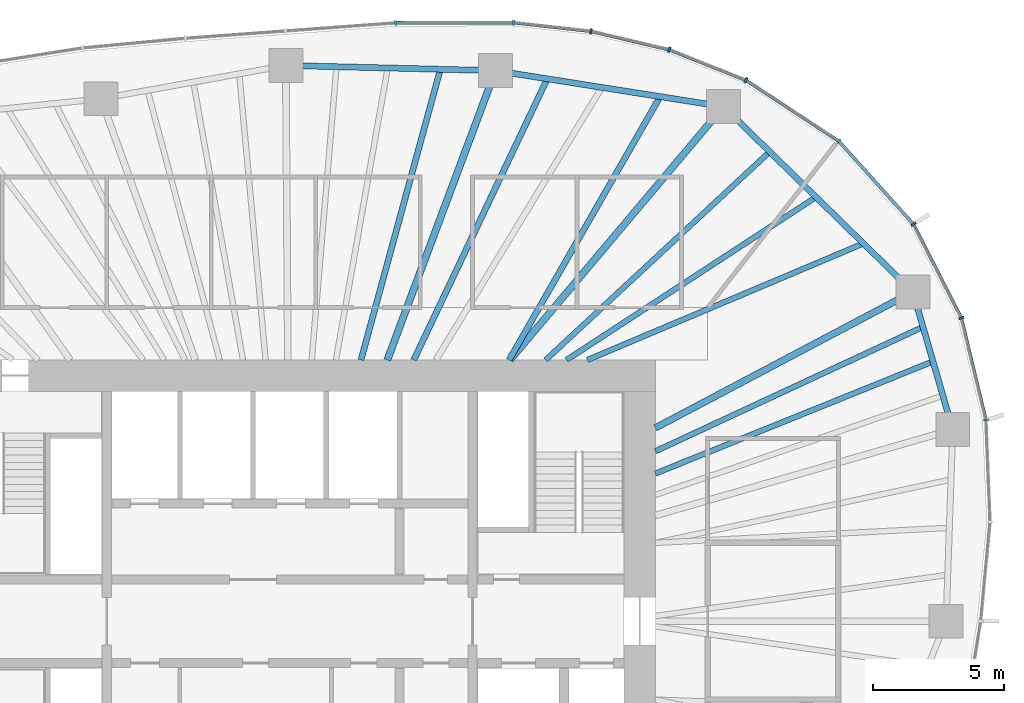
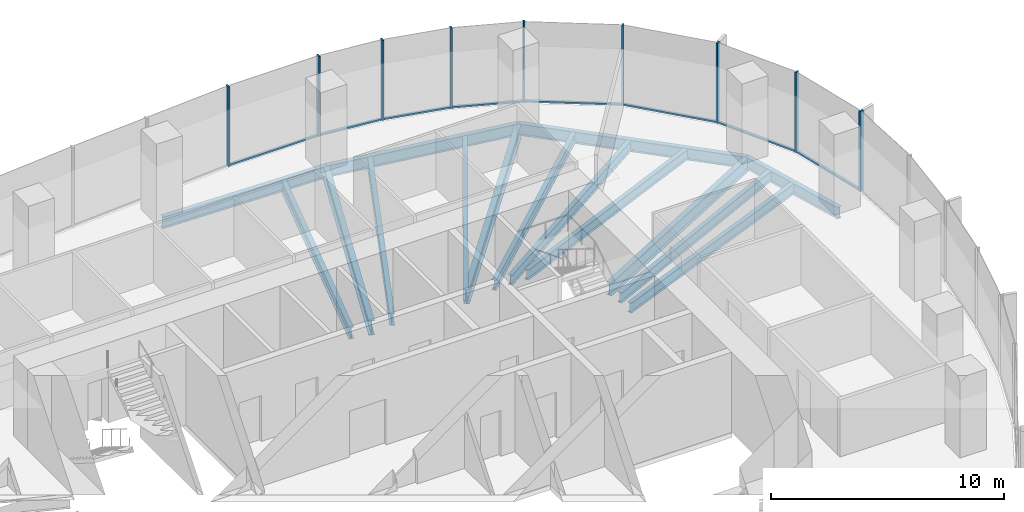
# One storey, part 6 of 12: 17 members, 15 beams, 4 elements without a shape of their own.
"""IFC4 building model written with IfcOpenShell, lengths in metres."""

from ifc_helpers import new_model, si_unit, direction, frame, origin, origin_2d, place, context, subcontext, project, spatial, rectangle, i_section, extrude, material, material_profile, profile_set, type_object, element, aggregate, save


model = new_model("IFC4")

# Units and contexts
model_context = context("Model", 3, precision=1e-05, world=origin(), true_north=direction((0.0, 1.0)))
body_context = subcontext(model_context, "Body", "Model", "MODEL_VIEW")
ifc_project = project(units=[si_unit("LENGTHUNIT", "METRE"), si_unit("AREAUNIT", "SQUARE_METRE"), si_unit("VOLUMEUNIT", "CUBIC_METRE"), si_unit("PLANEANGLEUNIT", "RADIAN"), si_unit("MASSUNIT", "GRAM", prefix="KILO")], contexts=[model_context])

# Site, building, storey
site_placement = place(None, origin())
site = spatial("IfcSite", under=ifc_project, at=site_placement, CompositionType="ELEMENT")
building_placement = place(site_placement, origin())
building = spatial("IfcBuilding", under=site, at=building_placement, Name="Ghaith Harvest Tower", CompositionType="ELEMENT")
storey_placement = place(building_placement, frame((0.0, 0.0, 203.199951171875)))
storey = spatial("IfcBuildingStorey", under=building, at=storey_placement, Name="L44", CompositionType="ELEMENT", Elevation=203.199951171875)

# Curtain wall, members
ifc_material_1 = material(Name="Black anodised aluminium and fritted glass", Category="aluminium")
curtain_wall_type = type_object("IfcCurtainWallType", Name="CW-H CURTAIN WALL", PredefinedType="NOTDEFINED", material=ifc_material_1)
curtain_wall_1_placement = place(storey_placement, origin())
curtain_wall_1 = element("IfcCurtainWall", 1, at=curtain_wall_1_placement, inside=storey, type_object=curtain_wall_type, Name="Curtain wall CW-H bay 02 L44", PredefinedType="NOTDEFINED")
ifc_material_2 = material(Name="Aluminium, black anodised", Category="aluminium")
ifc_material_profile_1 = material_profile(ifc_material_2, rectangle(XDim=0.080078125, YDim=0.199951171875, at=origin_2d()), Name="CW-H MULLION 80x200")
ifc_profile_set_1 = profile_set([ifc_material_profile_1], Name="Aluminium, black anodised")
member_type_1 = type_object("IfcMemberType", Name="CW-H MULLION 80x200", PredefinedType="MULLION", material=ifc_profile_set_1)
member_1_placement = place(storey_placement, frame((26.646484375, 7.701416015625, 0.0), z_axis=(0.0, 0.0, 1.0), x_axis=(-0.139146256981, 0.990271841046, 0.0)))
member_1 = element("IfcMember", 2, at=member_1_placement, type_object=member_type_1, Name="CW-H mullion 1 bay 02 L44", PredefinedType="MULLION", context=body_context, shape_type="SweptSolid", body=[
    extrude(rectangle(XDim=0.080078125, YDim=0.199951171875, at=origin_2d()), origin(), (0.0, 0.0, 1.0), 4.199951171875),
])
member_2_placement = place(storey_placement, frame((25.707275390625, 11.60546875, 0.0), z_axis=(0.0, 0.0, 1.0), x_axis=(-0.347012123561, 0.93786064322, 0.0)))
member_2 = element("IfcMember", 3, at=member_2_placement, type_object=member_type_1, Name="CW-H mullion 2 bay 02 L44", PredefinedType="MULLION", context=body_context, shape_type="SweptSolid", body=[
    extrude(rectangle(XDim=0.080078125, YDim=0.199951171875, at=origin_2d()), origin(), (0.0, 0.0, 1.0), 4.199951171875),
])

curtain_wall_2_placement = place(storey_placement, origin())
curtain_wall_2 = element("IfcCurtainWall", 4, at=curtain_wall_2_placement, inside=storey, type_object=curtain_wall_type, Name="Curtain wall CW-H bay 03 L44", PredefinedType="NOTDEFINED")
member_3_placement = place(storey_placement, frame((23.874267578125, 15.19384765625, 0.0), z_axis=(0.0, 0.0, 1.0), x_axis=(-0.569847382909, 0.821750546207, 0.0)))
member_3 = element("IfcMember", 5, at=member_3_placement, type_object=member_type_1, Name="CW-H mullion 1 bay 03 L44", PredefinedType="MULLION", context=body_context, shape_type="SweptSolid", body=[
    extrude(rectangle(XDim=0.080078125, YDim=0.199951171875, at=origin_2d()), origin(), (0.0, 0.0, 1.0), 4.199951171875),
])
member_4_placement = place(storey_placement, frame((21.013427734375, 18.374267578125, 0.0), z_axis=(0.0, 0.0, 1.0), x_axis=(-0.758541332755, 0.651624927778, 0.0)))
member_4 = element("IfcMember", 6, at=member_4_placement, type_object=member_type_1, Name="CW-H mullion 2 bay 03 L44", PredefinedType="MULLION", context=body_context, shape_type="SweptSolid", body=[
    extrude(rectangle(XDim=0.080078125, YDim=0.199951171875, at=origin_2d()), origin(), (0.0, 0.0, 1.0), 4.199951171875),
])

curtain_wall_3_placement = place(storey_placement, origin())
curtain_wall_3 = element("IfcCurtainWall", 7, at=curtain_wall_3_placement, inside=storey, type_object=curtain_wall_type, Name="Curtain wall CW-H bay 04 L44", PredefinedType="NOTDEFINED")
member_5_placement = place(storey_placement, frame((17.45947265625, 20.704345703125, 0.0), z_axis=(0.0, 0.0, 1.0), x_axis=(-0.880203412003, 0.474596621878, 0.0)))
member_5 = element("IfcMember", 8, at=member_5_placement, type_object=member_type_1, Name="CW-H mullion 1 bay 04 L44", PredefinedType="MULLION", context=body_context, shape_type="SweptSolid", body=[
    extrude(rectangle(XDim=0.080078125, YDim=0.199951171875, at=origin_2d()), origin(), (0.0, 0.0, 1.0), 4.199951171875),
])
member_6_placement = place(storey_placement, frame((14.52734375, 21.871337890625, 0.0), z_axis=(0.0, 0.0, 1.0), x_axis=(-0.953502908871, 0.30138381306, 0.0)))
member_6 = element("IfcMember", 9, at=member_6_placement, type_object=member_type_1, Name="CW-H mullion 2 bay 04 L44", PredefinedType="MULLION", context=body_context, shape_type="SweptSolid", body=[
    extrude(rectangle(XDim=0.080078125, YDim=0.199951171875, at=origin_2d()), origin(), (0.0, 0.0, 1.0), 4.199951171875),
])
member_7_placement = place(storey_placement, frame((11.527099609375, 22.579345703125, 0.0), z_axis=(0.0, 0.0, 1.0), x_axis=(-0.985193373388, 0.171446834417, 0.0)))
member_7 = element("IfcMember", 10, at=member_7_placement, type_object=member_type_1, Name="CW-H mullion 3 bay 04 L44", PredefinedType="MULLION", context=body_context, shape_type="SweptSolid", body=[
    extrude(rectangle(XDim=0.080078125, YDim=0.199951171875, at=origin_2d()), origin(), (0.0, 0.0, 1.0), 4.199951171875),
])

curtain_wall_4_placement = place(storey_placement, origin())
curtain_wall_4 = element("IfcCurtainWall", 11, at=curtain_wall_4_placement, inside=storey, type_object=curtain_wall_type, Name="Curtain wall CW-H bay 05 L44", PredefinedType="NOTDEFINED")
member_8_placement = place(storey_placement, frame((8.564208984375, 22.9091796875, 0.0), z_axis=(0.0, 0.0, 1.0), x_axis=(-0.999083519493, 0.042803283493, 0.0)))
member_8 = element("IfcMember", 12, at=member_8_placement, type_object=member_type_1, Name="CW-H mullion 1 bay 05 L44", PredefinedType="MULLION", context=body_context, shape_type="SweptSolid", body=[
    extrude(rectangle(XDim=0.080078125, YDim=0.199951171875, at=origin_2d()), origin(), (0.0, 0.0, 1.0), 4.199951171875),
])
member_9_placement = place(storey_placement, frame((4.0595703125, 22.8994140625, 0.0), z_axis=(0.0, 0.0, 1.0), x_axis=(-0.999332779724, -0.036523901335, 0.0)))
member_9 = element("IfcMember", 13, at=member_9_placement, type_object=member_type_1, Name="CW-H mullion 2 bay 05 L44", PredefinedType="MULLION", context=body_context, shape_type="SweptSolid", body=[
    extrude(rectangle(XDim=0.080078125, YDim=0.199951171875, at=origin_2d()), origin(), (0.0, 0.0, 1.0), 4.199951171875),
])

# Member
ifc_material_3 = material(Name="Aluminium, black anodised", Category="aluminium")
ifc_material_profile_2 = material_profile(ifc_material_3, rectangle(XDim=0.1298828125, YDim=0.080078125, at=origin_2d()), Name="CW-H TRANSOM 130x80")
ifc_profile_set_2 = profile_set([ifc_material_profile_2], Name="Aluminium, black anodised")
member_type_2 = type_object("IfcMemberType", Name="CW-H TRANSOM 130x80", PredefinedType="USERDEFINED", material=ifc_profile_set_2)
member_10_placement = place(storey_placement, frame((26.636962890625, 7.740234375, 0.0400390625), z_axis=(-0.233870324689, 0.972267798104, 0.0), x_axis=(-0.972267798104, -0.233870324689, 0.0)))
member_10 = element("IfcMember", 14, at=member_10_placement, type_object=member_type_2, Name="CW-H transom 1 bay 02 L44", ObjectType="TRANSOM", PredefinedType="USERDEFINED", context=body_context, shape_type="SweptSolid", body=[
    extrude(rectangle(XDim=0.1298828125, YDim=0.080078125, at=origin_2d()), origin(), (0.0, 0.0, 1.0), 3.935546875),
])

member_11_placement = place(storey_placement, frame((25.68896484375, 11.64111328125, 0.0400390625), z_axis=(-0.454911728312, 0.890536534592, 0.0), x_axis=(-0.890536534592, -0.454911728312, 0.0)))
member_11 = element("IfcMember", 15, at=member_11_placement, type_object=member_type_2, Name="CW-H transom 2 bay 02 L44", ObjectType="TRANSOM", PredefinedType="USERDEFINED", context=body_context, shape_type="SweptSolid", body=[
    extrude(rectangle(XDim=0.1298828125, YDim=0.080078125, at=origin_2d()), origin(), (0.0, 0.0, 1.0), 3.949462890625),
])

aggregate(curtain_wall_1, [member_1, member_10, member_2, member_11])

member_12_placement = place(storey_placement, frame((23.847412109375, 15.223388671875, 0.0400390625), z_axis=(-0.668752638518, 0.743484975286, 0.0), x_axis=(-0.743484975286, -0.668752638518, 0.0)))
member_12 = element("IfcMember", 16, at=member_12_placement, type_object=member_type_2, Name="CW-H transom 1 bay 03 L44", ObjectType="TRANSOM", PredefinedType="USERDEFINED", context=body_context, shape_type="SweptSolid", body=[
    extrude(rectangle(XDim=0.1298828125, YDim=0.080078125, at=origin_2d()), origin(), (0.0, 0.0, 1.0), 4.197998046875),
])

member_13_placement = place(storey_placement, frame((20.97998046875, 18.39599609375, 0.0400390625), z_axis=(-0.836268574396, 0.548320044753, 0.0), x_axis=(-0.548320044753, -0.836268574396, 0.0)))
member_13 = element("IfcMember", 17, at=member_13_placement, type_object=member_type_2, Name="CW-H transom 2 bay 03 L44", ObjectType="TRANSOM", PredefinedType="USERDEFINED", context=body_context, shape_type="SweptSolid", body=[
    extrude(rectangle(XDim=0.1298828125, YDim=0.080078125, at=origin_2d()), origin(), (0.0, 0.0, 1.0), 4.169677734375),
])

aggregate(curtain_wall_2, [member_3, member_12, member_4, member_13])

member_14_placement = place(storey_placement, frame((17.42236328125, 20.71923828125, 0.0400390625), z_axis=(-0.929115751434, 0.369789021521, 0.0), x_axis=(-0.369789021521, -0.929115751434, 0.0)))
member_14 = element("IfcMember", 18, at=member_14_placement, type_object=member_type_2, Name="CW-H transom 1 bay 04 L44", ObjectType="TRANSOM", PredefinedType="USERDEFINED", context=body_context, shape_type="SweptSolid", body=[
    extrude(rectangle(XDim=0.1298828125, YDim=0.080078125, at=origin_2d()), origin(), (0.0, 0.0, 1.0), 3.075927734375),
])

member_15_placement = place(storey_placement, frame((14.48828125, 21.880615234375, 0.0400390625), z_axis=(-0.97325803677, 0.229714592186, 0.0), x_axis=(-0.229714592186, -0.97325803677, 0.0)))
member_15 = element("IfcMember", 19, at=member_15_placement, type_object=member_type_2, Name="CW-H transom 2 bay 04 L44", ObjectType="TRANSOM", PredefinedType="USERDEFINED", context=body_context, shape_type="SweptSolid", body=[
    extrude(rectangle(XDim=0.1298828125, YDim=0.080078125, at=origin_2d()), origin(), (0.0, 0.0, 1.0), 3.00244140625),
])

member_16_placement = place(storey_placement, frame((11.4873046875, 22.583984375, 0.0400390625), z_axis=(-0.993867303252, 0.110579308762, 0.0), x_axis=(-0.110579308762, -0.993867303252, 0.0)))
member_16 = element("IfcMember", 20, at=member_16_placement, type_object=member_type_2, Name="CW-H transom 3 bay 04 L44", ObjectType="TRANSOM", PredefinedType="USERDEFINED", context=body_context, shape_type="SweptSolid", body=[
    extrude(rectangle(XDim=0.1298828125, YDim=0.080078125, at=origin_2d()), origin(), (0.0, 0.0, 1.0), 2.901123046875),
])

aggregate(curtain_wall_3, [member_5, member_14, member_6, member_15, member_7, member_16])

member_17_placement = place(storey_placement, frame((8.524169921875, 22.9091796875, 0.0400390625), z_axis=(-0.999997564275, -0.002207134722, 0.0), x_axis=(0.002207134722, -0.999997564275, 0.0)))
member_17 = element("IfcMember", 21, at=member_17_placement, type_object=member_type_2, Name="CW-H transom 1 bay 05 L44", ObjectType="TRANSOM", PredefinedType="USERDEFINED", context=body_context, shape_type="SweptSolid", body=[
    extrude(rectangle(XDim=0.1298828125, YDim=0.080078125, at=origin_2d()), origin(), (0.0, 0.0, 1.0), 4.424560546875),
])

aggregate(curtain_wall_4, [member_8, member_17, member_9])

# Beams
ifc_material_4 = material(Name="Steel ASTM A992 Grade 50", Category="steel")
ifc_material_profile_3 = material_profile(ifc_material_4, i_section(OverallWidth=0.22900390625, OverallDepth=0.612060546875, WebThickness=0.011962890625, FlangeThickness=0.01953125, at=origin_2d()), Name="W610X125")
ifc_profile_set_3 = profile_set([ifc_material_profile_3], Name="Steel ASTM A992 Grade 50")
beam_type_1 = type_object("IfcBeamType", Name="E610-125 W610X125", PredefinedType="SPANDREL", material=ifc_profile_set_3)
beam_1_placement = place(storey_placement, frame((25.3779296875, 7.3349609375, -0.475830078125), z_axis=(-0.278021352648, 0.960574894254, 0.0), x_axis=(-0.960574894254, -0.278021352648, 0.0)))
element("IfcBeam", 22, at=beam_1_placement, inside=storey, type_object=beam_type_1, Name="Edge beam E02 L44", PredefinedType="SPANDREL", context=body_context, shape_type="SweptSolid", body=[
    extrude(i_section(OverallWidth=0.22900390625, OverallDepth=0.612060546875, WebThickness=0.011962890625, FlangeThickness=0.01953125, at=origin_2d()), origin(), (0.0, 0.0, 1.0), 5.48828125),
])
beam_2_placement = place(storey_placement, frame((23.85205078125, 12.60693359375, -0.475830078125), z_axis=(-0.714761249388, 0.699368541166, 0.0), x_axis=(-0.699368541166, -0.714761249388, 0.0)))
element("IfcBeam", 23, at=beam_2_placement, inside=storey, type_object=beam_type_1, Name="Edge beam E03 L44", PredefinedType="SPANDREL", context=body_context, shape_type="SweptSolid", body=[
    extrude(i_section(OverallWidth=0.22900390625, OverallDepth=0.612060546875, WebThickness=0.011962890625, FlangeThickness=0.01953125, at=origin_2d()), origin(), (0.0, 0.0, 1.0), 10.135009765625),
])
beam_3_placement = place(storey_placement, frame((16.60791015625, 19.695068359375, -0.475830078125), z_axis=(-0.987788485872, 0.155800857439, 0.0), x_axis=(-0.155800857439, -0.987788485872, 0.0)))
element("IfcBeam", 24, at=beam_3_placement, inside=storey, type_object=beam_type_1, Name="Edge beam E04 L44", PredefinedType="SPANDREL", context=body_context, shape_type="SweptSolid", body=[
    extrude(i_section(OverallWidth=0.22900390625, OverallDepth=0.612060546875, WebThickness=0.011962890625, FlangeThickness=0.01953125, at=origin_2d()), origin(), (0.0, 0.0, 1.0), 8.837890625),
])
beam_4_placement = place(storey_placement, frame((7.8779296875, 21.072021484375, -0.475830078125), z_axis=(-0.999692679676, 0.024790042413, 0.0), x_axis=(-0.024790042413, -0.999692679676, 0.0)))
element("IfcBeam", 25, at=beam_4_placement, inside=storey, type_object=beam_type_1, Name="Edge beam E05 L44", PredefinedType="SPANDREL", context=body_context, shape_type="SweptSolid", body=[
    extrude(i_section(OverallWidth=0.22900390625, OverallDepth=0.612060546875, WebThickness=0.011962890625, FlangeThickness=0.01953125, at=origin_2d()), origin(), (0.0, 0.0, 1.0), 8.0263671875),
])
ifc_material_5 = material(Name="Steel ASTM A992 Grade 50", Category="steel")
ifc_material_profile_4 = material_profile(ifc_material_5, i_section(OverallWidth=0.256103515625, OverallDepth=0.693115234375, WebThickness=0.014404296875, FlangeThickness=0.023681640625, at=origin_2d()), Name="W690X170")
ifc_profile_set_4 = profile_set([ifc_material_profile_4], Name="Steel ASTM A992 Grade 50")
beam_type_2 = type_object("IfcBeamType", Name="G690-170 W690X170", PredefinedType="BEAM", material=ifc_profile_set_4)
beam_5_placement = place(storey_placement, frame((14.0, 7.39990234375, -0.516357421875), z_axis=(0.884112784119, 0.467273565438, 0.0), x_axis=(-0.467273565438, 0.884112784119, 0.0)))
element("IfcBeam", 26, at=beam_5_placement, inside=storey, type_object=beam_type_2, Name="Radial girder G03 L44", PredefinedType="BEAM", context=body_context, shape_type="SweptSolid", body=[
    extrude(i_section(OverallWidth=0.256103515625, OverallDepth=0.693115234375, WebThickness=0.014404296875, FlangeThickness=0.023681640625, at=origin_2d()), origin(), (0.0, 0.0, 1.0), 11.143310546875),
])
ifc_material_6 = material(Name="Steel ASTM A992 Grade 50", Category="steel")
ifc_material_profile_5 = material_profile(ifc_material_6, i_section(OverallWidth=0.26806640625, OverallDepth=0.77001953125, WebThickness=0.015625, FlangeThickness=0.025390625, at=origin_2d()), Name="W760X196")
ifc_profile_set_5 = profile_set([ifc_material_profile_5], Name="Steel ASTM A992 Grade 50")
beam_type_3 = type_object("IfcBeamType", Name="G760-196 W760X196", PredefinedType="BEAM", material=ifc_profile_set_5)
beam_6_placement = place(storey_placement, frame((8.4326171875, 10.0, -0.554931640625), z_axis=(0.644644245772, 0.764482698557, 0.0), x_axis=(-0.764482698557, 0.644644245772, 0.0)))
element("IfcBeam", 27, at=beam_6_placement, inside=storey, type_object=beam_type_3, Name="Radial girder G04 L44", PredefinedType="BEAM", context=body_context, shape_type="SweptSolid", body=[
    extrude(i_section(OverallWidth=0.26806640625, OverallDepth=0.77001953125, WebThickness=0.015625, FlangeThickness=0.025390625, at=origin_2d()), origin(), (0.0, 0.0, 1.0), 12.681884765625),
])
beam_7_placement = place(storey_placement, frame((3.73828125, 10.0, -0.554931640625), z_axis=(0.350206582147, 0.936672488024, 0.0), x_axis=(-0.936672488024, 0.350206582147, 0.0)))
element("IfcBeam", 28, at=beam_7_placement, inside=storey, type_object=beam_type_3, Name="Radial girder G05 L44", PredefinedType="BEAM", context=body_context, shape_type="SweptSolid", body=[
    extrude(i_section(OverallWidth=0.26806640625, OverallDepth=0.77001953125, WebThickness=0.015625, FlangeThickness=0.025390625, at=origin_2d()), origin(), (0.0, 0.0, 1.0), 11.820556640625),
])
ifc_material_7 = material(Name="Steel ASTM A992 Grade 50", Category="steel")
ifc_material_profile_6 = material_profile(ifc_material_7, i_section(OverallWidth=0.2109375, OverallDepth=0.5390625, WebThickness=0.01171875, FlangeThickness=0.018798828125, at=origin_2d()), Name="W530X109")
ifc_profile_set_6 = profile_set([ifc_material_profile_6], Name="Steel ASTM A992 Grade 50")
beam_type_4 = type_object("IfcBeamType", Name="J530-109 W530X109", PredefinedType="JOIST", material=ifc_profile_set_6)
beam_8_placement = place(storey_placement, frame((14.0, 5.653564453125, -0.439453125), z_axis=(0.927250374508, 0.37444190868, 0.0), x_axis=(-0.37444190868, 0.927250374508, 0.0)))
element("IfcBeam", 29, at=beam_8_placement, inside=storey, type_object=beam_type_4, Name="Joist J02.2 L44", PredefinedType="JOIST", context=body_context, shape_type="SweptSolid", body=[
    extrude(i_section(OverallWidth=0.2109375, OverallDepth=0.5390625, WebThickness=0.01171875, FlangeThickness=0.018798828125, at=origin_2d()), origin(), (0.0, 0.0, 1.0), 11.45654296875),
])
beam_9_placement = place(storey_placement, frame((14.0, 6.506103515625, -0.439453125), z_axis=(0.906864105655, 0.421423176718, 0.0), x_axis=(-0.421423176718, 0.906864105655, 0.0)))
element("IfcBeam", 30, at=beam_9_placement, inside=storey, type_object=beam_type_4, Name="Joist J02.3 L44", PredefinedType="JOIST", context=body_context, shape_type="SweptSolid", body=[
    extrude(i_section(OverallWidth=0.2109375, OverallDepth=0.5390625, WebThickness=0.01171875, FlangeThickness=0.018798828125, at=origin_2d()), origin(), (0.0, 0.0, 1.0), 11.292236328125),
])
beam_10_placement = place(storey_placement, frame((11.39990234375, 10.0, -0.439453125), z_axis=(0.92127415213, 0.388913790727, 0.0), x_axis=(-0.388913790727, 0.92127415213, 0.0)))
element("IfcBeam", 31, at=beam_10_placement, inside=storey, type_object=beam_type_4, Name="Joist J03.1 L44", PredefinedType="JOIST", context=body_context, shape_type="SweptSolid", body=[
    extrude(i_section(OverallWidth=0.2109375, OverallDepth=0.5390625, WebThickness=0.01171875, FlangeThickness=0.018798828125, at=origin_2d()), origin(), (0.0, 0.0, 1.0), 11.462646484375),
])
beam_11_placement = place(storey_placement, frame((10.60009765625, 10.0, -0.439453125), z_axis=(0.837329320942, 0.546698827775, 0.0), x_axis=(-0.546698827775, 0.837329320942, 0.0)))
element("IfcBeam", 32, at=beam_11_placement, inside=storey, type_object=beam_type_4, Name="Joist J03.2 L44", PredefinedType="JOIST", context=body_context, shape_type="SweptSolid", body=[
    extrude(i_section(OverallWidth=0.2109375, OverallDepth=0.5390625, WebThickness=0.01171875, FlangeThickness=0.018798828125, at=origin_2d()), origin(), (0.0, 0.0, 1.0), 11.40087890625),
])
beam_12_placement = place(storey_placement, frame((9.800048828125, 10.0, -0.439453125), z_axis=(0.732519288302, 0.680746275984, 0.0), x_axis=(-0.680746275984, 0.732519288302, 0.0)))
element("IfcBeam", 33, at=beam_12_placement, inside=storey, type_object=beam_type_4, Name="Joist J03.3 L44", PredefinedType="JOIST", context=body_context, shape_type="SweptSolid", body=[
    extrude(i_section(OverallWidth=0.2109375, OverallDepth=0.5390625, WebThickness=0.01171875, FlangeThickness=0.018798828125, at=origin_2d()), origin(), (0.0, 0.0, 1.0), 11.7041015625),
])
ifc_material_8 = material(Name="Steel ASTM A992 Grade 50", Category="steel")
ifc_material_profile_7 = material_profile(ifc_material_8, i_section(OverallWidth=0.22900390625, OverallDepth=0.612060546875, WebThickness=0.011962890625, FlangeThickness=0.01953125, at=origin_2d()), Name="W610X125")
ifc_profile_set_7 = profile_set([ifc_material_profile_7], Name="Steel ASTM A992 Grade 50")
beam_type_5 = type_object("IfcBeamType", Name="J610-125 W610X125", PredefinedType="JOIST", material=ifc_profile_set_7)
beam_13_placement = place(storey_placement, frame((8.39990234375, 10.0, -0.475830078125), z_axis=(0.497444212127, 0.867495968764, 0.0), x_axis=(-0.867495968764, 0.497444212127, 0.0)))
element("IfcBeam", 34, at=beam_13_placement, inside=storey, type_object=beam_type_5, Name="Joist J04.1 L44", PredefinedType="JOIST", context=body_context, shape_type="SweptSolid", body=[
    extrude(i_section(OverallWidth=0.22900390625, OverallDepth=0.612060546875, WebThickness=0.011962890625, FlangeThickness=0.01953125, at=origin_2d()), origin(), (0.0, 0.0, 1.0), 11.617431640625),
])
beam_14_placement = place(storey_placement, frame((4.75, 10.0, -0.475830078125), z_axis=(0.429069356877, 0.903271546651, 0.0), x_axis=(-0.903271546651, 0.429069356877, 0.0)))
element("IfcBeam", 35, at=beam_14_placement, inside=storey, type_object=beam_type_5, Name="Joist J04.3 L44", PredefinedType="JOIST", context=body_context, shape_type="SweptSolid", body=[
    extrude(i_section(OverallWidth=0.22900390625, OverallDepth=0.612060546875, WebThickness=0.011962890625, FlangeThickness=0.01953125, at=origin_2d()), origin(), (0.0, 0.0, 1.0), 11.911376953125),
])
beam_15_placement = place(storey_placement, frame((2.73095703125, 10.0, -0.475830078125), z_axis=(0.263455967932, 0.964671422279, 0.0), x_axis=(-0.964671422279, 0.263455967932, 0.0)))
element("IfcBeam", 36, at=beam_15_placement, inside=storey, type_object=beam_type_5, Name="Joist J05.1 L44", PredefinedType="JOIST", context=body_context, shape_type="SweptSolid", body=[
    extrude(i_section(OverallWidth=0.22900390625, OverallDepth=0.612060546875, WebThickness=0.011962890625, FlangeThickness=0.01953125, at=origin_2d()), origin(), (0.0, 0.0, 1.0), 11.53173828125),
])

save(model, "model.ifc")
